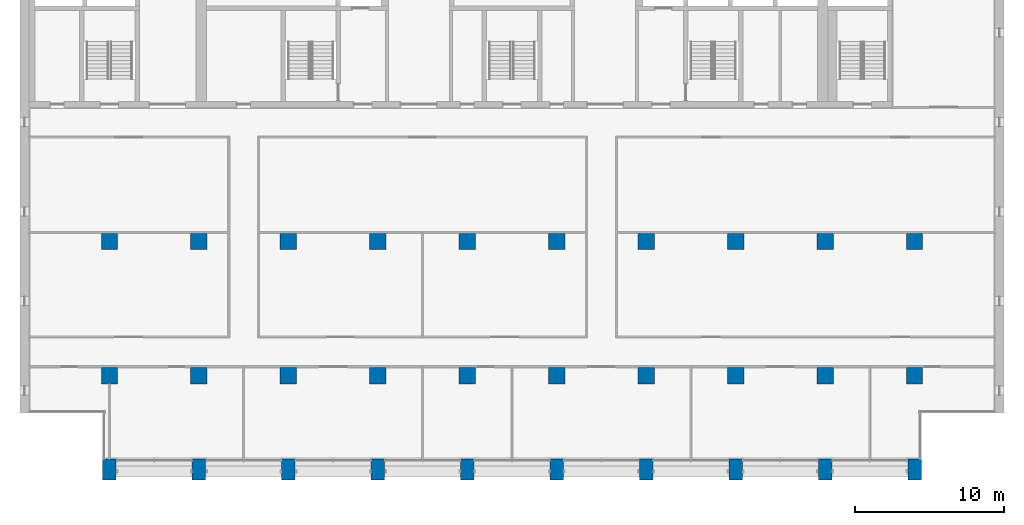
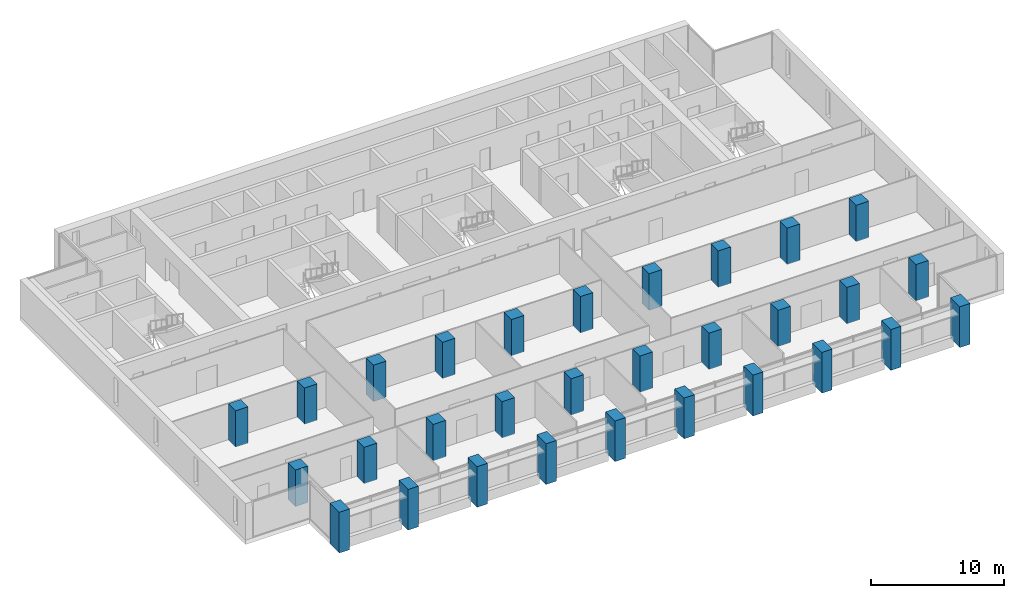
# One storey, part 1 of 17: 30 columns.
"""IFC4 building model written with IfcOpenShell, lengths in metres."""

from ifc_helpers import new_model, si_unit, direction, frame, origin, origin_2d, place, context, subcontext, project, spatial, rectangle, extrude, material, material_profile, profile_set, type_object, element, save


model = new_model("IFC4")

# Units and contexts
model_context = context("Model", 3, precision=1e-05, world=origin(), true_north=direction((0.0, 1.0)))
body_context = subcontext(model_context, "Body", "Model", "MODEL_VIEW")
ifc_project = project(units=[si_unit("LENGTHUNIT", "METRE"), si_unit("AREAUNIT", "SQUARE_METRE"), si_unit("VOLUMEUNIT", "CUBIC_METRE"), si_unit("PLANEANGLEUNIT", "RADIAN"), si_unit("MASSUNIT", "GRAM", prefix="KILO")], contexts=[model_context])

# Site, building, storey
site_placement = place(None, origin())
site = spatial("IfcSite", under=ifc_project, at=site_placement, CompositionType="ELEMENT")
building_placement = place(site_placement, origin())
building = spatial("IfcBuilding", under=site, at=building_placement, Name="Calvaro Tower", CompositionType="ELEMENT")
storey_placement = place(building_placement, frame((0.0, 0.0, 193.0)))
storey = spatial("IfcBuildingStorey", under=building, at=storey_placement, Name="L48", CompositionType="ELEMENT", Elevation=193.0)

# Columns
ifc_material_1 = material(Name="Concrete C50/60", Category="concrete")
ifc_material_profile_1 = material_profile(ifc_material_1, rectangle(XDim=1.10009765625, YDim=1.10009765625, at=origin_2d()), Name="RC 1100x1100")
ifc_profile_set_1 = profile_set([ifc_material_profile_1], Name="Concrete C50/60")
column_type_1 = type_object("IfcColumnType", Name="Column 1100x1100 C50/60", PredefinedType="COLUMN", material=ifc_profile_set_1)
for number, where, z_axis, x_axis, name in (
    (1, (12.0, 10.0, 0.0), (0.0, 0.0, 1.0), (1.0, 0.0, 0.0), "Column 3B"),
    (2, (12.0, 19.0, 0.0), (0.0, 0.0, 1.0), (1.0, 0.0, 0.0), "Column 3C"),
    (3, (18.0, 10.0, 0.0), (0.0, 0.0, 1.0), (1.0, 0.0, 0.0), "Column 4B"),
    (4, (18.0, 19.0, 0.0), (0.0, 0.0, 1.0), (1.0, 0.0, 0.0), "Column 4C"),
    (5, (24.0, 10.0, 0.0), (0.0, 0.0, 1.0), (1.0, 0.0, 0.0), "Column 5B"),
    (6, (24.0, 19.0, 0.0), (0.0, 0.0, 1.0), (1.0, 0.0, 0.0), "Column 5C"),
    (7, (30.0, 10.0, 0.0), (0.0, 0.0, 1.0), (1.0, 0.0, 0.0), "Column 6B"),
    (8, (30.0, 19.0, 0.0), (0.0, 0.0, 1.0), (1.0, 0.0, 0.0), "Column 6C"),
    (9, (36.0, 10.0, 0.0), (0.0, 0.0, 1.0), (1.0, 0.0, 0.0), "Column 7B"),
    (10, (36.0, 19.0, 0.0), (0.0, 0.0, 1.0), (1.0, 0.0, 0.0), "Column 7C"),
    (11, (42.0, 10.0, 0.0), (0.0, 0.0, 1.0), (1.0, 0.0, 0.0), "Column 8B"),
    (12, (42.0, 19.0, 0.0), (0.0, 0.0, 1.0), (1.0, 0.0, 0.0), "Column 8C"),
    (13, (48.0, 10.0, 0.0), (0.0, 0.0, 1.0), (1.0, 0.0, 0.0), "Column 9B"),
    (14, (48.0, 19.0, 0.0), (0.0, 0.0, 1.0), (1.0, 0.0, 0.0), "Column 9C"),
    (15, (54.0, 10.0, 0.0), (0.0, 0.0, 1.0), (1.0, 0.0, 0.0), "Column 10B"),
    (16, (54.0, 19.0, 0.0), (0.0, 0.0, 1.0), (1.0, 0.0, 0.0), "Column 10C"),
    (17, (60.0, 10.0, 0.0), (0.0, 0.0, 1.0), (1.0, 0.0, 0.0), "Column 11B"),
    (18, (60.0, 19.0, 0.0), (0.0, 0.0, 1.0), (1.0, 0.0, 0.0), "Column 11C"),
    (19, (66.0, 10.0, 0.0), (0.0, 0.0, 1.0), (1.0, 0.0, 0.0), "Column 12B"),
    (20, (66.0, 19.0, 0.0), (0.0, 0.0, 1.0), (1.0, 0.0, 0.0), "Column 12C"),
):
    element("IfcColumn", number, at=place(storey_placement, frame(where, z_axis=z_axis, x_axis=x_axis)), inside=storey, type_object=column_type_1, Name=name, PredefinedType="COLUMN", context=body_context, shape_type="SweptSolid", body=[
        extrude(rectangle(XDim=1.10009765625, YDim=1.10009765625, at=origin_2d()), origin(), (0.0, 0.0, 1.0), 3.35009765625),
    ])
ifc_material_2 = material(Name="Concrete C50/60", Category="concrete")
ifc_material_profile_2 = material_profile(ifc_material_2, rectangle(XDim=0.89990234375, YDim=1.39990234375, at=origin_2d()), Name="RC 900x1400")
ifc_profile_set_2 = profile_set([ifc_material_profile_2], Name="Concrete C50/60")
column_type_2 = type_object("IfcColumnType", Name="Pier 900x1400 C50/60", PredefinedType="COLUMN", material=ifc_profile_set_2)
for number, where, z_axis, x_axis, name in (
    (21, (12.0, 3.699951171875, -0.39990234375), (0.0, 0.0, 1.0), (1.0, 0.0, 0.0), "South pier 3"),
    (22, (18.0, 3.699951171875, -0.39990234375), (0.0, 0.0, 1.0), (1.0, 0.0, 0.0), "South pier 4"),
    (23, (24.0, 3.699951171875, -0.39990234375), (0.0, 0.0, 1.0), (1.0, 0.0, 0.0), "South pier 5"),
    (24, (30.0, 3.699951171875, -0.39990234375), (0.0, 0.0, 1.0), (1.0, 0.0, 0.0), "South pier 6"),
    (25, (36.0, 3.699951171875, -0.39990234375), (0.0, 0.0, 1.0), (1.0, 0.0, 0.0), "South pier 7"),
    (26, (42.0, 3.699951171875, -0.39990234375), (0.0, 0.0, 1.0), (1.0, 0.0, 0.0), "South pier 8"),
    (27, (48.0, 3.699951171875, -0.39990234375), (0.0, 0.0, 1.0), (1.0, 0.0, 0.0), "South pier 9"),
    (28, (54.0, 3.699951171875, -0.39990234375), (0.0, 0.0, 1.0), (1.0, 0.0, 0.0), "South pier 10"),
    (29, (60.0, 3.699951171875, -0.39990234375), (0.0, 0.0, 1.0), (1.0, 0.0, 0.0), "South pier 11"),
    (30, (66.0, 3.699951171875, -0.39990234375), (0.0, 0.0, 1.0), (1.0, 0.0, 0.0), "South pier 12"),
):
    element("IfcColumn", number, at=place(storey_placement, frame(where, z_axis=z_axis, x_axis=x_axis)), inside=storey, type_object=column_type_2, Name=name, PredefinedType="COLUMN", context=body_context, shape_type="SweptSolid", body=[
        extrude(rectangle(XDim=0.89990234375, YDim=1.39990234375, at=origin_2d()), origin(), (0.0, 0.0, 1.0), 3.75),
    ])

save(model, "model.ifc")
